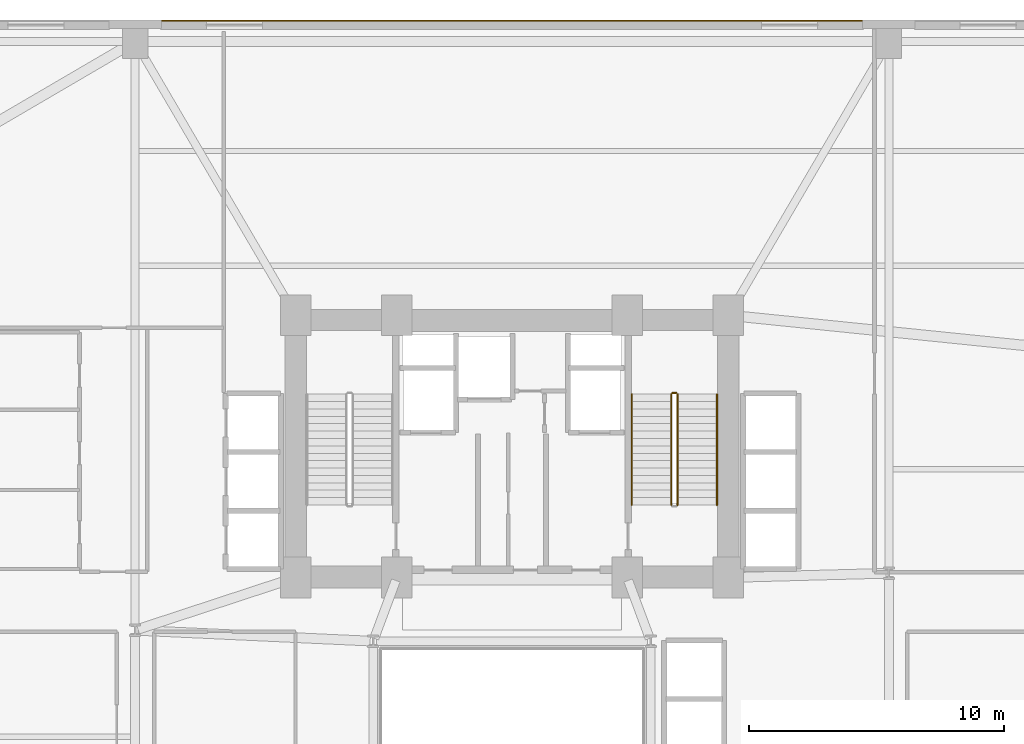
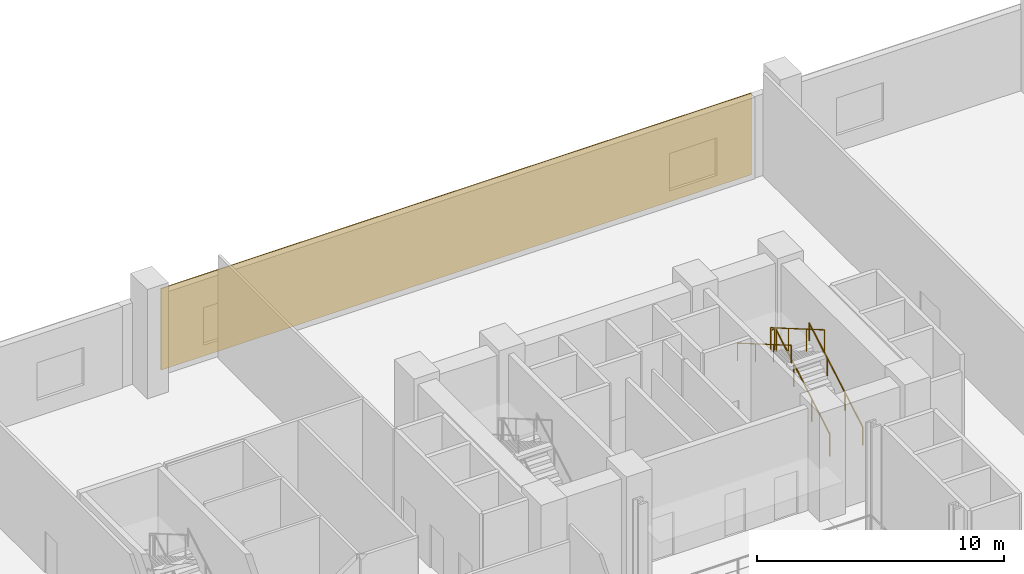
# One storey, part 30 of 31: 5 railings, 1 covering.
"""IFC4 building model written with IfcOpenShell, lengths in metres."""

import ifcopenshell
import ifcopenshell.guid

model = None  # the IFC model being written
_history = None  # IfcOwnerHistory: only IFC2X3 demands one
_inside = {}  # id of a spatial element -> (the spatial element, [elements in it])
_under = {}  # id of a project, library or spatial element -> (it, [spatial elements below it])
_declared = {}  # id of a project -> (the project, [libraries it declares])
_typed = {}  # id of a type object -> (the type object, [elements of that type])
_made_of = {}  # id of a material, layer set ... -> (it, [elements and type objects made of it])


def new_model(schema):
    """Start an empty IFC model of exactly this schema.

    Asked for "IFC4X3", IfcOpenShell would pick the latest addendum, in which some entities
    have other attributes; the version numbers below select the first issue.
    IFC2X3 requires an IfcOwnerHistory on every rooted entity: one is made here for all.
    """
    global model, _history
    if schema == "IFC4X3":
        model = ifcopenshell.file(schema_version=(4, 3, 0, 0))
    else:
        model = ifcopenshell.file(schema=schema)
    _inside.clear()
    _under.clear()
    _declared.clear()
    _typed.clear()
    _made_of.clear()
    _history = None
    if model.schema == "IFC2X3":
        org = make("IfcOrganization", Name="unknown")
        user = make(
            "IfcPersonAndOrganization",
            ThePerson=make("IfcPerson", FamilyName="unknown"),
            TheOrganization=org,
        )
        app = make(
            "IfcApplication",
            ApplicationDeveloper=org,
            Version="unknown",
            ApplicationFullName="unknown",
            ApplicationIdentifier="unknown",
        )
        _history = make(
            "IfcOwnerHistory",
            OwningUser=user,
            OwningApplication=app,
            ChangeAction="ADDED",
            CreationDate=0,
        )
    return model


def make(cls, **values):
    """One entity of the class cls with the attributes given. An attribute that is None is left unset."""
    return model.create_entity(
        cls, **{name: value for name, value in values.items() if value is not None}
    )


def rooted(cls, **values):
    """An entity with a GlobalId (a new one), such as an element, a storey or a relation."""
    return make(cls, GlobalId=ifcopenshell.guid.new(), OwnerHistory=_history, **values)


def si_unit(unit_type, name, prefix=None):
    """IfcSIUnit, for example si_unit("LENGTHUNIT", "METRE", prefix="MILLI")."""
    return make("IfcSIUnit", UnitType=unit_type, Prefix=prefix, Name=name)


def assignment(units):
    """IfcUnitAssignment: the units of a project."""
    return None if units is None else make("IfcUnitAssignment", Units=units)


def point(xyz):
    """IfcCartesianPoint."""
    return None if xyz is None else make("IfcCartesianPoint", Coordinates=xyz)


def direction(xyz):
    """IfcDirection."""
    return None if xyz is None else make("IfcDirection", DirectionRatios=xyz)


def frame(location, z_axis=None, x_axis=None):
    """IfcAxis2Placement3D, a coordinate frame: its origin and axes. An axis left out is left unset."""
    return make(
        "IfcAxis2Placement3D",
        Location=point(location),
        Axis=direction(z_axis),
        RefDirection=direction(x_axis),
    )


def frame_2d(location, x_axis=None):
    """IfcAxis2Placement2D, a coordinate frame in the plane: its origin and x axis."""
    return make(
        "IfcAxis2Placement2D", Location=point(location), RefDirection=direction(x_axis)
    )


def origin():
    """The frame at (0, 0, 0) with its axes left unset."""
    return frame((0.0, 0.0, 0.0))


def origin_2d():
    """The frame at (0, 0) in the plane with its x axis left unset."""
    return frame_2d((0.0, 0.0))


def place(relative_to, where):
    """IfcLocalPlacement: puts the frame where relative to a parent placement (None: the world)."""
    return make(
        "IfcLocalPlacement", PlacementRelTo=relative_to, RelativePlacement=where
    )


def context(
    kind, dimensions, precision=None, world=None, true_north=None, identifier=None
):
    """IfcGeometricRepresentationContext, for example the 3D "Model" context."""
    return make(
        "IfcGeometricRepresentationContext",
        ContextIdentifier=identifier,
        ContextType=kind,
        CoordinateSpaceDimension=dimensions,
        Precision=precision,
        WorldCoordinateSystem=world,
        TrueNorth=true_north,
    )


def subcontext(parent, identifier, kind, view, scale=None):
    """IfcGeometricRepresentationSubContext, for example "Body" below "Model"."""
    return make(
        "IfcGeometricRepresentationSubContext",
        ContextIdentifier=identifier,
        ContextType=kind,
        ParentContext=parent,
        TargetScale=scale,
        TargetView=view,
    )


def project(units=None, contexts=None):
    """IfcProject with its units and contexts."""
    return rooted(
        "IfcProject",
        Name="project",
        RepresentationContexts=contexts,
        UnitsInContext=assignment(units),
    )


def spatial(cls, under=None, at=None, **own):
    """A site, building, storey or space (cls), placed at a placement, below another one or the project."""
    s = rooted(cls, ObjectPlacement=at, **own)
    if under is not None:
        _under.setdefault(under.id(), (under, []))[1].append(s)
    return s


def profile(cls, at=None, kind="AREA", **sizes):
    """A parametric profile (cls). Its sizes go by their IFC names, for example OverallWidth=200.0."""
    return make(cls, ProfileType=kind, Position=at, **sizes)


def rectangle(**sizes):
    """IfcRectangleProfileDef."""
    return profile("IfcRectangleProfileDef", **sizes)


def circle(**sizes):
    """IfcCircleProfileDef."""
    return profile("IfcCircleProfileDef", **sizes)


def extrude(swept, where, along, depth):
    """IfcExtrudedAreaSolid: the profile swept, set in the frame where, extruded along a direction by depth."""
    return make(
        "IfcExtrudedAreaSolid",
        SweptArea=swept,
        Position=where,
        ExtrudedDirection=direction(along),
        Depth=depth,
    )


def shape(context_of_items, identifier, shape_type, items):
    """IfcShapeRepresentation: the items that make up one representation, for example the "Body"."""
    return make(
        "IfcShapeRepresentation",
        ContextOfItems=context_of_items,
        RepresentationIdentifier=identifier,
        RepresentationType=shape_type,
        Items=items,
    )


def source(mapping_origin, context_of_items, identifier, shape_type, items):
    """IfcRepresentationMap: a shape defined once, which mapped items show again and again."""
    return make(
        "IfcRepresentationMap",
        MappingOrigin=mapping_origin,
        MappedRepresentation=shape(context_of_items, identifier, shape_type, items),
    )


def transform(
    local_origin,
    x_axis=None,
    y_axis=None,
    z_axis=None,
    scale=None,
    scale2=None,
    scale3=None,
    uniform=True,
):
    """IfcCartesianTransformationOperator3D, or its non-uniform kind. x_axis, y_axis, z_axis: its Axis1, 2, 3."""
    if uniform:
        return make(
            "IfcCartesianTransformationOperator3D",
            Axis1=direction(x_axis),
            Axis2=direction(y_axis),
            LocalOrigin=point(local_origin),
            Scale=scale,
            Axis3=direction(z_axis),
        )
    return make(
        "IfcCartesianTransformationOperator3DnonUniform",
        Axis1=direction(x_axis),
        Axis2=direction(y_axis),
        LocalOrigin=point(local_origin),
        Scale=scale,
        Axis3=direction(z_axis),
        Scale2=scale2,
        Scale3=scale3,
    )


def mapped(mapping_source, mapping_target):
    """IfcMappedItem: shows the shape of a source again, moved by a transform."""
    return make(
        "IfcMappedItem", MappingSource=mapping_source, MappingTarget=mapping_target
    )


def material(Name=None, Category=None):
    """IfcMaterial."""
    return make("IfcMaterial", Name=Name, Category=Category)


def layer(
    of_material, thickness, ventilated=None, Name=None, Category=None, Priority=None
):
    """IfcMaterialLayer: one layer of a wall or slab, of a material (None: an air gap)."""
    return make(
        "IfcMaterialLayer",
        Material=of_material,
        LayerThickness=thickness,
        IsVentilated=ventilated,
        Name=Name,
        Category=Category,
        Priority=Priority,
    )


def layer_set(layers, Name=None):
    """IfcMaterialLayerSet."""
    return make("IfcMaterialLayerSet", MaterialLayers=layers, LayerSetName=Name)


def made_of(thing, what):
    """Note that an element or type object is made of a material, layer set ...; save() writes the relation."""
    if what is not None:
        _made_of.setdefault(what.id(), (what, []))[1].append(thing)
    return thing


def type_object(cls, material=None, **own):
    """A type object (cls), such as IfcWallType, which elements share."""
    return made_of(rooted(cls, **own), material)


def element(
    cls,
    number,
    at=None,
    inside=None,
    cuts=None,
    type_object=None,
    material=None,
    context=None,
    identifier="Body",
    shape_type=None,
    held_by="IfcProductDefinitionShape",
    body=None,
    shapes=None,
    **own,
):
    """One element of the class cls, such as IfcWall. Its Tag is "e" and its number.

    at: its placement. inside: the storey or other place that contains it. cuts: it is an
    opening in that element (IfcRelVoidsElement). A single representation is given by context,
    identifier, shape_type and body (its items); several are given by shapes. held_by: the class
    of the entity that holds the representations. save() writes the other relations.
    """
    e = rooted(cls, Tag="e%d" % number, ObjectPlacement=at, **own)
    if body is not None:
        shapes = [shape(context, identifier, shape_type, body)]
    if shapes is not None:
        e.Representation = make(held_by, Representations=shapes)
    if inside is not None:
        _inside.setdefault(inside.id(), (inside, []))[1].append(e)
    if cuts is not None:
        rooted(
            "IfcRelVoidsElement", RelatingBuildingElement=cuts, RelatedOpeningElement=e
        )
    if type_object is not None:
        _typed.setdefault(type_object.id(), (type_object, []))[1].append(e)
    return made_of(e, material)


def aggregate(whole, parts):
    """IfcRelAggregates: a whole, such as a stair, and the parts it consists of."""
    return rooted("IfcRelAggregates", RelatingObject=whole, RelatedObjects=parts)


def save(model, path):
    """Write the relations noted so far, then the file.

    IfcRelAggregates (storeys below a building ...), IfcRelContainedInSpatialStructure (elements
    in a storey), IfcRelDefinesByType, IfcRelAssociatesMaterial and IfcRelDeclares: one each for
    every whole, place, type object, material and project.
    """
    for whole, parts in _under.values():
        aggregate(whole, parts)
    for where, things in _inside.values():
        rooted(
            "IfcRelContainedInSpatialStructure",
            RelatedElements=things,
            RelatingStructure=where,
        )
    for kind, things in _typed.values():
        rooted("IfcRelDefinesByType", RelatedObjects=things, RelatingType=kind)
    for what, things in _made_of.values():
        rooted("IfcRelAssociatesMaterial", RelatedObjects=things, RelatingMaterial=what)
    for by, libraries in _declared.values():
        rooted("IfcRelDeclares", RelatingContext=by, RelatedDefinitions=libraries)
    model.write(path)


model = new_model("IFC4")

# Units and contexts
model_context = context("Model", 3, precision=1e-05, world=origin(), true_north=direction((0.0, 1.0)))
body_context = subcontext(model_context, "Body", "Model", "MODEL_VIEW")
ifc_project = project(units=[si_unit("LENGTHUNIT", "METRE"), si_unit("AREAUNIT", "SQUARE_METRE"), si_unit("VOLUMEUNIT", "CUBIC_METRE"), si_unit("PLANEANGLEUNIT", "RADIAN"), si_unit("MASSUNIT", "GRAM", prefix="KILO")], contexts=[model_context])

# Site, building, storey
site_placement = place(None, origin())
site = spatial("IfcSite", under=ifc_project, at=site_placement, CompositionType="ELEMENT")
building_placement = place(site_placement, origin())
building = spatial("IfcBuilding", under=site, at=building_placement, Name="Varnelok Gate Tower", CompositionType="ELEMENT")
storey_placement = place(building_placement, frame((0.0, 0.0, 16.199951171875)))
storey = spatial("IfcBuildingStorey", under=building, at=storey_placement, Name="L03", CompositionType="ELEMENT", Elevation=16.199951171875)

# Railings
ifc_material_1 = material(Name="Brushed Stainless Steel AISI 316", Category="steel")
railing_type_1 = type_object("IfcRailingType", Name="RL-HANDRAIL-900", PredefinedType="HANDRAIL", material=ifc_material_1)
railing_1_placement = place(storey_placement, frame((47.25, 31.60009765625, 0.168701171875)))
element("IfcRailing", 1, at=railing_1_placement, inside=storey, type_object=railing_type_1, Name="L03 ST-2 stair handrail 1", PredefinedType="HANDRAIL", context=body_context, shape_type="SweptSolid", body=[
    extrude(circle(Radius=0.02392578125, at=origin_2d()), frame((0.0, 0.0, 0.8759765625), z_axis=(0.0, 0.864311530196, 0.502956835891), x_axis=(-1.0, 0.0, 0.0)), (0.0, 0.0, 1.0), 5.03271484375),
    extrude(circle(Radius=0.02099609375, at=origin_2d()), origin(), (0.0, 0.0, 1.0), 0.851806640625),
    extrude(circle(Radius=0.02099609375, at=origin_2d()), frame((0.0, 1.449951171875, 0.84375)), (0.0, 0.0, 1.0), 0.851806640625),
    extrude(circle(Radius=0.02099609375, at=origin_2d()), frame((0.0, 2.89990234375, 1.6875)), (0.0, 0.0, 1.0), 0.851806640625),
    extrude(circle(Radius=0.02099609375, at=origin_2d()), frame((0.0, 4.349853515625, 2.53125)), (0.0, 0.0, 1.0), 0.851806640625),
])
railing_2_placement = place(storey_placement, frame((43.89990234375, 35.949951171875, 2.868896484375)))
element("IfcRailing", 2, at=railing_2_placement, inside=storey, type_object=railing_type_1, Name="L03 ST-2 stair handrail 2", PredefinedType="HANDRAIL", context=body_context, shape_type="SweptSolid", body=[
    extrude(circle(Radius=0.02392578125, at=origin_2d()), frame((0.0, 0.0, 0.8759765625), z_axis=(0.0, -0.864311530196, 0.502956835891), x_axis=(1.0, 0.0, 0.0)), (0.0, 0.0, 1.0), 5.03271484375),
    extrude(circle(Radius=0.02099609375, at=origin_2d()), origin(), (0.0, 0.0, 1.0), 0.851806640625),
    extrude(circle(Radius=0.02099609375, at=origin_2d()), frame((0.0, -1.449951171875, 0.84375)), (0.0, 0.0, 1.0), 0.851806640625),
    extrude(circle(Radius=0.02099609375, at=origin_2d()), frame((0.0, -2.89990234375, 1.6875)), (0.0, 0.0, 1.0), 0.851806640625),
    extrude(circle(Radius=0.02099609375, at=origin_2d()), frame((0.0, -4.349853515625, 2.53125)), (0.0, 0.0, 1.0), 0.851806640625),
])
ifc_material_2 = material(Name="Galvanized Steel Grade S350GD", Category="steel")
railing_type_2 = type_object("IfcRailingType", Name="RL-STAIR-GUARD1120", PredefinedType="GUARDRAIL", material=ifc_material_2)
railing_3_placement = place(storey_placement, frame((45.699951171875, 31.60009765625, 0.168701171875)))
element("IfcRailing", 3, at=railing_3_placement, inside=storey, type_object=railing_type_2, Name="L03 ST-2 stair guard 1", PredefinedType="GUARDRAIL", context=body_context, shape_type="SweptSolid", body=[
    extrude(circle(Radius=0.02392578125, at=origin_2d()), frame((0.0, 0.0, 1.09619140625), z_axis=(0.0, 0.864311530196, 0.502956835891), x_axis=(-1.0, 0.0, 0.0)), (0.0, 0.0, 1.0), 5.03271484375),
    extrude(circle(Radius=0.02099609375, at=origin_2d()), origin(), (0.0, 0.0, 1.0), 1.072021484375),
    extrude(circle(Radius=0.02099609375, at=origin_2d()), frame((0.0, 1.449951171875, 0.84375)), (0.0, 0.0, 1.0), 1.072021484375),
    extrude(circle(Radius=0.02099609375, at=origin_2d()), frame((0.0, 2.89990234375, 1.6875)), (0.0, 0.0, 1.0), 1.072021484375),
    extrude(circle(Radius=0.02099609375, at=origin_2d()), frame((0.0, 4.349853515625, 2.53125)), (0.0, 0.0, 1.0), 1.072021484375),
])
railing_4_placement = place(storey_placement, frame((45.64990234375, 36.0, 2.699951171875)))
element("IfcRailing", 4, at=railing_4_placement, inside=storey, type_object=railing_type_2, Name="L03 ST-2 stair guard 2", PredefinedType="GUARDRAIL", context=body_context, shape_type="SweptSolid", body=[
    extrude(circle(Radius=0.02392578125, at=origin_2d()), frame((0.0, 0.0, 1.09619140625), z_axis=(-1.0, 0.0, 0.0), x_axis=(0.0, -1.0, 0.0)), (0.0, 0.0, 1.0), 0.14990234375),
    extrude(circle(Radius=0.02099609375, at=origin_2d()), origin(), (0.0, 0.0, 1.0), 1.072021484375),
    extrude(circle(Radius=0.02099609375, at=origin_2d()), frame((-0.14990234375, 0.0, 0.0)), (0.0, 0.0, 1.0), 1.072021484375),
])
railing_5_placement = place(storey_placement, frame((45.449951171875, 35.949951171875, 2.868896484375)))
element("IfcRailing", 5, at=railing_5_placement, inside=storey, type_object=railing_type_2, Name="L03 ST-2 stair guard 3", PredefinedType="GUARDRAIL", context=body_context, shape_type="SweptSolid", body=[
    extrude(circle(Radius=0.02392578125, at=origin_2d()), frame((0.0, 0.0, 1.09619140625), z_axis=(0.0, -0.864311530196, 0.502956835891), x_axis=(1.0, 0.0, 0.0)), (0.0, 0.0, 1.0), 5.03271484375),
    extrude(circle(Radius=0.02099609375, at=origin_2d()), origin(), (0.0, 0.0, 1.0), 1.072021484375),
    extrude(circle(Radius=0.02099609375, at=origin_2d()), frame((0.0, -1.449951171875, 0.84375)), (0.0, 0.0, 1.0), 1.072021484375),
    extrude(circle(Radius=0.02099609375, at=origin_2d()), frame((0.0, -2.89990234375, 1.6875)), (0.0, 0.0, 1.0), 1.072021484375),
    extrude(circle(Radius=0.02099609375, at=origin_2d()), frame((0.0, -4.349853515625, 2.53125)), (0.0, 0.0, 1.0), 1.072021484375),
])

# Covering
ifc_material_3 = material(Name="Glazed Architectural Terracotta Ceramic", Category="masonry")
ifc_layer = layer(ifc_material_3, 0.044921875)
ifc_layer_set = layer_set([ifc_layer], Name="Glazed Architectural Terracotta Ceramic")
covering_type = type_object("IfcCoveringType", Name="COV-TERRA-CLAD", PredefinedType="CLADDING", material=ifc_layer_set)
shared_shape = source(origin(), body_context, "Body", "SweptSolid", [
    extrude(rectangle(XDim=27.60009765625, YDim=0.044921875, at=origin_2d()), origin(), (0.0, 0.0, 1.0), 4.030029296875),
])
covering_placement = place(storey_placement, frame((39.199951171875, 50.6220703125, 0.0), z_axis=(0.0, 0.0, 1.0), x_axis=(1.0, 0.0, 0.0)))
element("IfcCovering", 6, at=covering_placement, inside=storey, type_object=covering_type, Name="L03 Terracotta Podium Rainscreen Cladding N2", PredefinedType="CLADDING", context=body_context, shape_type="MappedRepresentation", body=[
    mapped(shared_shape, transform((0.0, 0.0, 0.0), scale=1.0)),
])

save(model, "model.ifc")
